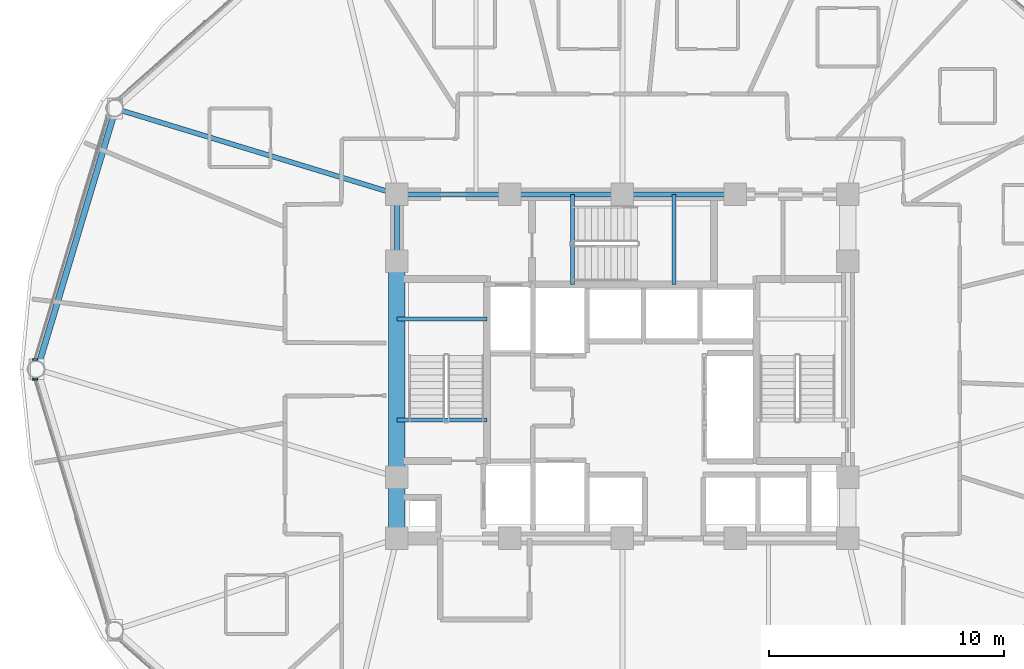
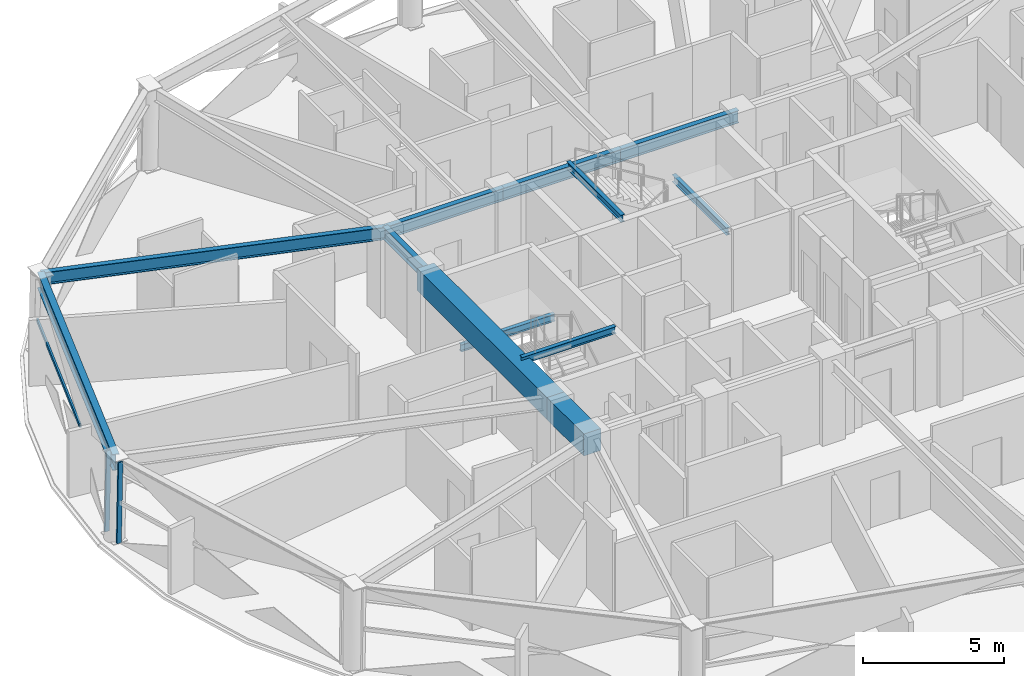
# One storey, part 4 of 18: 12 beams, 3 members, 2 elements without a shape of their own.
"""IFC4 building model written with IfcOpenShell, lengths in metres."""

from ifc_helpers import new_model, si_unit, direction, frame, origin, origin_2d, place, context, subcontext, project, spatial, rectangle, hollow_rectangle, i_section, extrude, material, layer, layer_set, material_profile, profile_set, type_object, element, aggregate, save


model = new_model("IFC4")

# Units and contexts
model_context = context("Model", 3, precision=1e-05, world=origin(), true_north=direction((0.0, 1.0)))
body_context = subcontext(model_context, "Body", "Model", "MODEL_VIEW")
ifc_project = project(units=[si_unit("LENGTHUNIT", "METRE"), si_unit("AREAUNIT", "SQUARE_METRE"), si_unit("VOLUMEUNIT", "CUBIC_METRE"), si_unit("PLANEANGLEUNIT", "RADIAN"), si_unit("MASSUNIT", "GRAM", prefix="KILO")], contexts=[model_context])

# Site, building, storey
site_placement = place(None, origin())
site = spatial("IfcSite", under=ifc_project, at=site_placement, CompositionType="ELEMENT")
building_placement = place(site_placement, origin())
building = spatial("IfcBuilding", under=site, at=building_placement, Name="Vantalir Tower", CompositionType="ELEMENT")
storey_placement = place(building_placement, frame((0.0, 0.0, 138.449951171875)))
storey = spatial("IfcBuildingStorey", under=building, at=storey_placement, Name="L34", CompositionType="ELEMENT", Elevation=138.449951171875)

# Beams
ifc_material_1 = material(Name="Concrete C60/75", Category="concrete")
ifc_material_profile_1 = material_profile(ifc_material_1, rectangle(XDim=0.699951171875, YDim=0.949951171875, at=origin_2d()), Name="Concrete C60/75")
ifc_profile_set_1 = profile_set([ifc_material_profile_1], Name="Concrete C60/75")
beam_type_1 = type_object("IfcBeamType", Name="BM-CB-700x950", PredefinedType="USERDEFINED", material=ifc_profile_set_1)
beam_1_placement = place(storey_placement, frame((21.89990234375, 29.60009765625, 3.094970703125), z_axis=(0.0, -1.0, 0.0), x_axis=(1.0, 0.0, 0.0)))
element("IfcBeam", 1, at=beam_1_placement, inside=storey, type_object=beam_type_1, Name="L34 Core Coupling Girder 13", ObjectType="GIRDER", PredefinedType="USERDEFINED", context=body_context, shape_type="SweptSolid", body=[
    extrude(rectangle(XDim=0.699951171875, YDim=0.949951171875, at=origin_2d()), origin(), (0.0, 0.0, 1.0), 9.2001953125),
])
beam_2_placement = place(storey_placement, frame((21.89990234375, 20.39990234375, 3.094970703125), z_axis=(0.0, -1.0, 0.0), x_axis=(1.0, 0.0, 0.0)))
element("IfcBeam", 2, at=beam_2_placement, inside=storey, type_object=beam_type_1, Name="L34 Core Coupling Girder 14", ObjectType="GIRDER", PredefinedType="USERDEFINED", context=body_context, shape_type="SweptSolid", body=[
    extrude(rectangle(XDim=0.699951171875, YDim=0.949951171875, at=origin_2d()), origin(), (0.0, 0.0, 1.0), 2.599853515625),
])
ifc_material_2 = material(Name="Steel S355", Category="steel")
ifc_material_profile_2 = material_profile(ifc_material_2, i_section(OverallWidth=0.166015625, OverallDepth=0.306884765625, WebThickness=0.006591796875, FlangeThickness=0.01171875, at=origin_2d()), Name="Steel S355")
ifc_profile_set_2 = profile_set([ifc_material_profile_2], Name="Steel S355")
beam_type_2 = type_object("IfcBeamType", Name="BM-JS-305x165", PredefinedType="JOIST", material=ifc_profile_set_2)
for number, where, z_axis, x_axis, name in (
    (3, (21.89990234375, 22.8349609375, 3.595947265625), (1.0, 0.0, 0.0), (0.0, 1.0, 0.0), "L35 Stair ST1 Well Nosing Trimmer Beam"),
    (4, (21.89990234375, 27.14501953125, 1.52197265625), (1.0, 0.0, 0.0), (0.0, 1.0, 0.0), "L34 Stair ST1 Half-Landing Support Beam"),
):
    element("IfcBeam", number, at=place(storey_placement, frame(where, z_axis=z_axis, x_axis=x_axis)), inside=storey, type_object=beam_type_2, Name=name, PredefinedType="JOIST", context=body_context, shape_type="SweptSolid", body=[
        extrude(i_section(OverallWidth=0.166015625, OverallDepth=0.306884765625, WebThickness=0.006591796875, FlangeThickness=0.01171875, at=origin_2d()), origin(), (0.0, 0.0, 1.0), 3.840087890625),
    ])
for number, where, z_axis, x_axis, name in (
    (5, (29.385009765625, 28.60009765625, 3.595947265625), (0.0, 1.0, 0.0), (-1.0, 0.0, 0.0), "L35 Stair ST3 Well Nosing Trimmer Beam"),
    (6, (33.695068359375, 28.60009765625, 1.52197265625), (0.0, 1.0, 0.0), (-1.0, 0.0, 0.0), "L34 Stair ST3 Half-Landing Support Beam"),
):
    element("IfcBeam", number, at=place(storey_placement, frame(where, z_axis=z_axis, x_axis=x_axis)), inside=storey, type_object=beam_type_2, Name=name, PredefinedType="JOIST", context=body_context, shape_type="SweptSolid", body=[
        extrude(i_section(OverallWidth=0.166015625, OverallDepth=0.306884765625, WebThickness=0.006591796875, FlangeThickness=0.01171875, at=origin_2d()), origin(), (0.0, 0.0, 1.0), 3.849853515625),
    ])
ifc_material_profile_3 = material_profile(ifc_material_2, i_section(OverallWidth=0.2109375, OverallDepth=0.5390625, WebThickness=0.01171875, FlangeThickness=0.018798828125, at=origin_2d()), Name="Steel S355")
ifc_profile_set_3 = profile_set([ifc_material_profile_3], Name="Steel S355")
beam_type_3 = type_object("IfcBeamType", Name="BM-RB-533x210", PredefinedType="BEAM", material=ifc_profile_set_3)
for number, where, z_axis, x_axis, name in (
    (7, (36.300048828125, 32.449951171875, 3.301025390625), (-1.0, 0.0, 0.0), (0.0, -1.0, 0.0), "L34 Core Coupling Girder 09"),
    (8, (31.5, 32.449951171875, 3.301025390625), (-1.0, 0.0, 0.0), (0.0, -1.0, 0.0), "L34 Core Coupling Girder 10"),
    (9, (26.699951171875, 32.449951171875, 3.301025390625), (-1.0, 0.0, 0.0), (0.0, -1.0, 0.0), "L34 Core Coupling Girder 11"),
):
    element("IfcBeam", number, at=place(storey_placement, frame(where, z_axis=z_axis, x_axis=x_axis)), inside=storey, type_object=beam_type_3, Name=name, PredefinedType="BEAM", context=body_context, shape_type="SweptSolid", body=[
        extrude(i_section(OverallWidth=0.2109375, OverallDepth=0.5390625, WebThickness=0.01171875, FlangeThickness=0.018798828125, at=origin_2d()), origin(), (0.0, 0.0, 1.0), 4.800048828125),
    ])
beam_3_placement = place(storey_placement, frame((21.89990234375, 32.449951171875, 3.301025390625), z_axis=(0.0, -1.0, 0.0), x_axis=(1.0, 0.0, 0.0)))
element("IfcBeam", 10, at=beam_3_placement, inside=storey, type_object=beam_type_3, Name="L34 Core Coupling Girder 12", PredefinedType="BEAM", context=body_context, shape_type="SweptSolid", body=[
    extrude(i_section(OverallWidth=0.2109375, OverallDepth=0.5390625, WebThickness=0.01171875, FlangeThickness=0.018798828125, at=origin_2d()), origin(), (0.0, 0.0, 1.0), 2.849853515625),
])
beam_4_placement = place(storey_placement, frame((9.929931640625, 36.090087890625, 3.301025390625), z_axis=(0.956738373771, -0.290949624771, 0.0), x_axis=(0.290949624771, 0.956738373771, 0.0)))
element("IfcBeam", 11, at=beam_4_placement, inside=storey, type_object=beam_type_3, Name="L34 Radial Floor Beam 06", PredefinedType="BEAM", context=body_context, shape_type="SweptSolid", body=[
    extrude(i_section(OverallWidth=0.2109375, OverallDepth=0.5390625, WebThickness=0.01171875, FlangeThickness=0.018798828125, at=origin_2d()), origin(), (0.0, 0.0, 1.0), 12.51123046875),
])
ifc_material_3 = material(Name="Steel S460", Category="steel")
ifc_material_profile_4 = material_profile(ifc_material_3, i_section(OverallWidth=0.256103515625, OverallDepth=0.693115234375, WebThickness=0.014404296875, FlangeThickness=0.023681640625, at=origin_2d()), Name="Steel S460")
ifc_profile_set_4 = profile_set([ifc_material_profile_4], Name="Steel S460")
beam_type_4 = type_object("IfcBeamType", Name="BM-RG-686x254", PredefinedType="USERDEFINED", material=ifc_profile_set_4)
beam_5_placement = place(storey_placement, frame((9.929931640625, 36.090087890625, 3.22412109375), z_axis=(-0.288131063354, -0.957590982795, 0.0), x_axis=(0.957590982795, -0.288131063354, 0.0)))
element("IfcBeam", 12, at=beam_5_placement, inside=storey, type_object=beam_type_4, Name="L34 Circumferential Ring Girder 06", ObjectType="GIRDER", PredefinedType="USERDEFINED", context=body_context, shape_type="SweptSolid", body=[
    extrude(i_section(OverallWidth=0.256103515625, OverallDepth=0.693115234375, WebThickness=0.014404296875, FlangeThickness=0.023681640625, at=origin_2d()), origin(), (0.0, 0.0, 1.0), 11.581298828125),
])

# Curtain wall, member
ifc_material_4 = material(Name="Champagne-silver PVDF aluminium and double-silver Low-E glass", Category="aluminium")
ifc_layer = layer(ifc_material_4, 0.199951171875)
ifc_layer_set = layer_set([ifc_layer], Name="Champagne-silver PVDF aluminium and double-silver Low-E glass")
curtain_wall_type = type_object("IfcCurtainWallType", Name="CW-DIAMOND-Z2", PredefinedType="USERDEFINED", material=ifc_layer_set)
curtain_wall_1_placement = place(storey_placement, origin())
curtain_wall_1 = element("IfcCurtainWall", 13, at=curtain_wall_1_placement, inside=storey, type_object=curtain_wall_type, Name="L34 Quilted Pyramid-Diamond Curtain Wall S06", ObjectType="UNITISED CURTAIN WALL", PredefinedType="USERDEFINED")
ifc_material_5 = material(Name="Champagne-silver PVDF aluminium 6063-T6", Category="aluminium")
ifc_material_profile_5 = material_profile(ifc_material_5, hollow_rectangle(XDim=0.074951171875, YDim=0.179931640625, WallThickness=0.00390625, at=origin_2d()), Name="Champagne-silver PVDF aluminium 6063-T6")
ifc_profile_set_5 = profile_set([ifc_material_profile_5], Name="Champagne-silver PVDF aluminium 6063-T6")
member_type_1 = type_object("IfcMemberType", Name="CWM-180x75", PredefinedType="MULLION", material=ifc_profile_set_5)
member_1_placement = place(storey_placement, frame((6.468017578125, 25.4208984375, 0.045166015625), z_axis=(0.017816730913, 0.0, 0.999841269452), x_axis=(0.0, 1.0, 0.0)))
member_1 = element("IfcMember", 14, at=member_1_placement, type_object=member_type_1, Name="CW-L34-S06 Mullion 2", PredefinedType="MULLION", context=body_context, shape_type="SweptSolid", body=[
    extrude(hollow_rectangle(XDim=0.074951171875, YDim=0.179931640625, WallThickness=0.00390625, at=origin_2d()), origin(), (0.0, 0.0, 1.0), 3.48046875),
])

curtain_wall_2_placement = place(storey_placement, origin())
curtain_wall_2 = element("IfcCurtainWall", 15, at=curtain_wall_2_placement, inside=storey, type_object=curtain_wall_type, Name="L34 Quilted Pyramid-Diamond Curtain Wall S07", ObjectType="UNITISED CURTAIN WALL", PredefinedType="USERDEFINED")
member_2_placement = place(storey_placement, frame((6.468017578125, 24.5791015625, 0.045166015625), z_axis=(0.017816730913, 0.0, 0.999841269452), x_axis=(0.0, 1.0, 0.0)))
member_2 = element("IfcMember", 16, at=member_2_placement, type_object=member_type_1, Name="CW-L34-S07 Mullion 1", PredefinedType="MULLION", context=body_context, shape_type="SweptSolid", body=[
    extrude(hollow_rectangle(XDim=0.074951171875, YDim=0.179931640625, WallThickness=0.00390625, at=origin_2d()), origin(), (0.0, 0.0, 1.0), 3.48046875),
])
aggregate(curtain_wall_2, [member_2])

# Member
ifc_material_profile_6 = material_profile(ifc_material_5, hollow_rectangle(XDim=0.074951171875, YDim=0.159912109375, WallThickness=0.00390625, at=origin_2d()), Name="Champagne-silver PVDF aluminium 6063-T6")
ifc_profile_set_6 = profile_set([ifc_material_profile_6], Name="Champagne-silver PVDF aluminium 6063-T6")
member_type_2 = type_object("IfcMemberType", Name="CWT-160x75", PredefinedType="USERDEFINED", material=ifc_profile_set_6)
member_3_placement = place(storey_placement, frame((9.612060546875, 35.777099609375, 1.78515625), z_axis=(-0.291352809162, -0.956615670263, 0.0), x_axis=(0.956615670263, -0.291352809162, 0.0)))
member_3 = element("IfcMember", 17, at=member_3_placement, type_object=member_type_2, Name="CW-L34-S06 Pyramid Fold Ridge Transom", ObjectType="TRANSOM", PredefinedType="USERDEFINED", context=body_context, shape_type="SweptSolid", body=[
    extrude(hollow_rectangle(XDim=0.074951171875, YDim=0.159912109375, WallThickness=0.00390625, at=origin_2d()), origin(), (0.0, 0.0, 1.0), 6.70703125),
])

aggregate(curtain_wall_1, [member_1, member_3])

save(model, "model.ifc")
